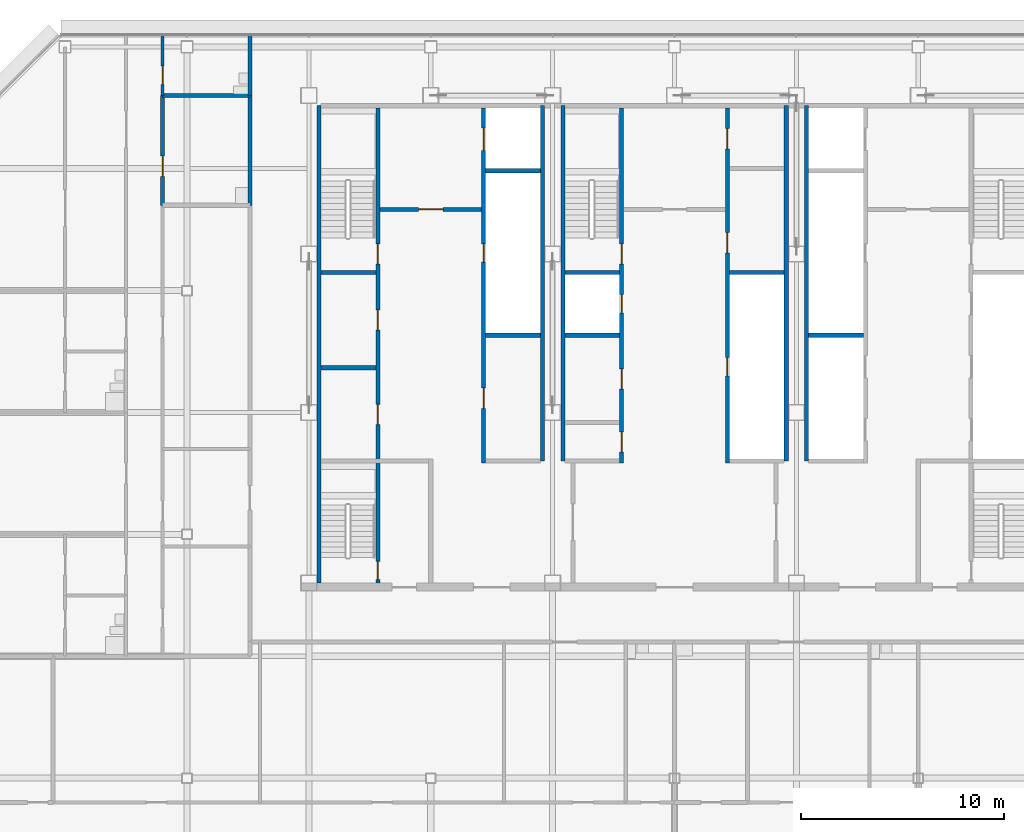
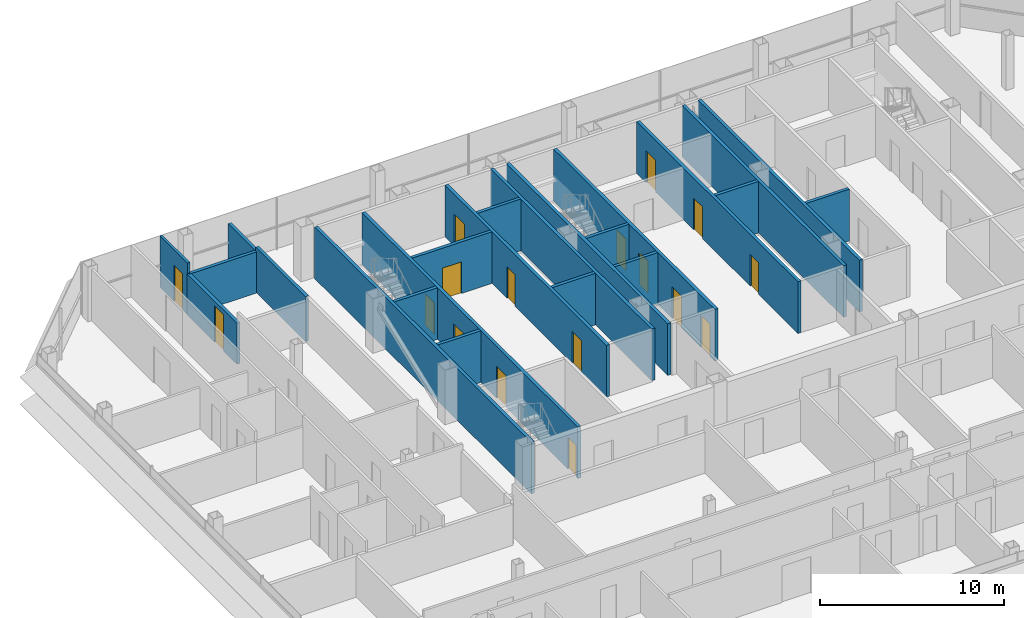
# One storey, part 24 of 28: 23 walls, 17 doors, 17 openings.
"""IFC4 building model written with IfcOpenShell, lengths in metres."""

import ifcopenshell
import ifcopenshell.guid

model = None  # the IFC model being written
_history = None  # IfcOwnerHistory: only IFC2X3 demands one
_inside = {}  # id of a spatial element -> (the spatial element, [elements in it])
_under = {}  # id of a project, library or spatial element -> (it, [spatial elements below it])
_declared = {}  # id of a project -> (the project, [libraries it declares])
_typed = {}  # id of a type object -> (the type object, [elements of that type])
_made_of = {}  # id of a material, layer set ... -> (it, [elements and type objects made of it])


def new_model(schema):
    """Start an empty IFC model of exactly this schema.

    Asked for "IFC4X3", IfcOpenShell would pick the latest addendum, in which some entities
    have other attributes; the version numbers below select the first issue.
    IFC2X3 requires an IfcOwnerHistory on every rooted entity: one is made here for all.
    """
    global model, _history
    if schema == "IFC4X3":
        model = ifcopenshell.file(schema_version=(4, 3, 0, 0))
    else:
        model = ifcopenshell.file(schema=schema)
    _inside.clear()
    _under.clear()
    _declared.clear()
    _typed.clear()
    _made_of.clear()
    _history = None
    if model.schema == "IFC2X3":
        org = make("IfcOrganization", Name="unknown")
        user = make(
            "IfcPersonAndOrganization",
            ThePerson=make("IfcPerson", FamilyName="unknown"),
            TheOrganization=org,
        )
        app = make(
            "IfcApplication",
            ApplicationDeveloper=org,
            Version="unknown",
            ApplicationFullName="unknown",
            ApplicationIdentifier="unknown",
        )
        _history = make(
            "IfcOwnerHistory",
            OwningUser=user,
            OwningApplication=app,
            ChangeAction="ADDED",
            CreationDate=0,
        )
    return model


def make(cls, **values):
    """One entity of the class cls with the attributes given. An attribute that is None is left unset."""
    return model.create_entity(
        cls, **{name: value for name, value in values.items() if value is not None}
    )


def rooted(cls, **values):
    """An entity with a GlobalId (a new one), such as an element, a storey or a relation."""
    return make(cls, GlobalId=ifcopenshell.guid.new(), OwnerHistory=_history, **values)


def si_unit(unit_type, name, prefix=None):
    """IfcSIUnit, for example si_unit("LENGTHUNIT", "METRE", prefix="MILLI")."""
    return make("IfcSIUnit", UnitType=unit_type, Prefix=prefix, Name=name)


def assignment(units):
    """IfcUnitAssignment: the units of a project."""
    return None if units is None else make("IfcUnitAssignment", Units=units)


def point(xyz):
    """IfcCartesianPoint."""
    return None if xyz is None else make("IfcCartesianPoint", Coordinates=xyz)


def direction(xyz):
    """IfcDirection."""
    return None if xyz is None else make("IfcDirection", DirectionRatios=xyz)


def frame(location, z_axis=None, x_axis=None):
    """IfcAxis2Placement3D, a coordinate frame: its origin and axes. An axis left out is left unset."""
    return make(
        "IfcAxis2Placement3D",
        Location=point(location),
        Axis=direction(z_axis),
        RefDirection=direction(x_axis),
    )


def frame_2d(location, x_axis=None):
    """IfcAxis2Placement2D, a coordinate frame in the plane: its origin and x axis."""
    return make(
        "IfcAxis2Placement2D", Location=point(location), RefDirection=direction(x_axis)
    )


def origin():
    """The frame at (0, 0, 0) with its axes left unset."""
    return frame((0.0, 0.0, 0.0))


def place(relative_to, where):
    """IfcLocalPlacement: puts the frame where relative to a parent placement (None: the world)."""
    return make(
        "IfcLocalPlacement", PlacementRelTo=relative_to, RelativePlacement=where
    )


def context(
    kind, dimensions, precision=None, world=None, true_north=None, identifier=None
):
    """IfcGeometricRepresentationContext, for example the 3D "Model" context."""
    return make(
        "IfcGeometricRepresentationContext",
        ContextIdentifier=identifier,
        ContextType=kind,
        CoordinateSpaceDimension=dimensions,
        Precision=precision,
        WorldCoordinateSystem=world,
        TrueNorth=true_north,
    )


def subcontext(parent, identifier, kind, view, scale=None):
    """IfcGeometricRepresentationSubContext, for example "Body" below "Model"."""
    return make(
        "IfcGeometricRepresentationSubContext",
        ContextIdentifier=identifier,
        ContextType=kind,
        ParentContext=parent,
        TargetScale=scale,
        TargetView=view,
    )


def project(units=None, contexts=None):
    """IfcProject with its units and contexts."""
    return rooted(
        "IfcProject",
        Name="project",
        RepresentationContexts=contexts,
        UnitsInContext=assignment(units),
    )


def spatial(cls, under=None, at=None, **own):
    """A site, building, storey or space (cls), placed at a placement, below another one or the project."""
    s = rooted(cls, ObjectPlacement=at, **own)
    if under is not None:
        _under.setdefault(under.id(), (under, []))[1].append(s)
    return s


def profile(cls, at=None, kind="AREA", **sizes):
    """A parametric profile (cls). Its sizes go by their IFC names, for example OverallWidth=200.0."""
    return make(cls, ProfileType=kind, Position=at, **sizes)


def rectangle(**sizes):
    """IfcRectangleProfileDef."""
    return profile("IfcRectangleProfileDef", **sizes)


def extrude(swept, where, along, depth):
    """IfcExtrudedAreaSolid: the profile swept, set in the frame where, extruded along a direction by depth."""
    return make(
        "IfcExtrudedAreaSolid",
        SweptArea=swept,
        Position=where,
        ExtrudedDirection=direction(along),
        Depth=depth,
    )


def shape(context_of_items, identifier, shape_type, items):
    """IfcShapeRepresentation: the items that make up one representation, for example the "Body"."""
    return make(
        "IfcShapeRepresentation",
        ContextOfItems=context_of_items,
        RepresentationIdentifier=identifier,
        RepresentationType=shape_type,
        Items=items,
    )


def material(Name=None, Category=None):
    """IfcMaterial."""
    return make("IfcMaterial", Name=Name, Category=Category)


def layer(
    of_material, thickness, ventilated=None, Name=None, Category=None, Priority=None
):
    """IfcMaterialLayer: one layer of a wall or slab, of a material (None: an air gap)."""
    return make(
        "IfcMaterialLayer",
        Material=of_material,
        LayerThickness=thickness,
        IsVentilated=ventilated,
        Name=Name,
        Category=Category,
        Priority=Priority,
    )


def layer_set(layers, Name=None):
    """IfcMaterialLayerSet."""
    return make("IfcMaterialLayerSet", MaterialLayers=layers, LayerSetName=Name)


def made_of(thing, what):
    """Note that an element or type object is made of a material, layer set ...; save() writes the relation."""
    if what is not None:
        _made_of.setdefault(what.id(), (what, []))[1].append(thing)
    return thing


def type_object(cls, material=None, **own):
    """A type object (cls), such as IfcWallType, which elements share."""
    return made_of(rooted(cls, **own), material)


def element(
    cls,
    number,
    at=None,
    inside=None,
    cuts=None,
    type_object=None,
    material=None,
    context=None,
    identifier="Body",
    shape_type=None,
    held_by="IfcProductDefinitionShape",
    body=None,
    shapes=None,
    **own,
):
    """One element of the class cls, such as IfcWall. Its Tag is "e" and its number.

    at: its placement. inside: the storey or other place that contains it. cuts: it is an
    opening in that element (IfcRelVoidsElement). A single representation is given by context,
    identifier, shape_type and body (its items); several are given by shapes. held_by: the class
    of the entity that holds the representations. save() writes the other relations.
    """
    e = rooted(cls, Tag="e%d" % number, ObjectPlacement=at, **own)
    if body is not None:
        shapes = [shape(context, identifier, shape_type, body)]
    if shapes is not None:
        e.Representation = make(held_by, Representations=shapes)
    if inside is not None:
        _inside.setdefault(inside.id(), (inside, []))[1].append(e)
    if cuts is not None:
        rooted(
            "IfcRelVoidsElement", RelatingBuildingElement=cuts, RelatedOpeningElement=e
        )
    if type_object is not None:
        _typed.setdefault(type_object.id(), (type_object, []))[1].append(e)
    return made_of(e, material)


def fill(opening, filler):
    """IfcRelFillsElement: the door or window that sits in an opening."""
    return rooted(
        "IfcRelFillsElement",
        RelatingOpeningElement=opening,
        RelatedBuildingElement=filler,
    )


def aggregate(whole, parts):
    """IfcRelAggregates: a whole, such as a stair, and the parts it consists of."""
    return rooted("IfcRelAggregates", RelatingObject=whole, RelatedObjects=parts)


def save(model, path):
    """Write the relations noted so far, then the file.

    IfcRelAggregates (storeys below a building ...), IfcRelContainedInSpatialStructure (elements
    in a storey), IfcRelDefinesByType, IfcRelAssociatesMaterial and IfcRelDeclares: one each for
    every whole, place, type object, material and project.
    """
    for whole, parts in _under.values():
        aggregate(whole, parts)
    for where, things in _inside.values():
        rooted(
            "IfcRelContainedInSpatialStructure",
            RelatedElements=things,
            RelatingStructure=where,
        )
    for kind, things in _typed.values():
        rooted("IfcRelDefinesByType", RelatedObjects=things, RelatingType=kind)
    for what, things in _made_of.values():
        rooted("IfcRelAssociatesMaterial", RelatedObjects=things, RelatingMaterial=what)
    for by, libraries in _declared.values():
        rooted("IfcRelDeclares", RelatingContext=by, RelatedDefinitions=libraries)
    model.write(path)


model = new_model("IFC4")

# Units and contexts
model_context = context("Model", 3, precision=1e-05, world=origin(), true_north=direction((0.0, 1.0)))
body_context = subcontext(model_context, "Body", "Model", "MODEL_VIEW")
ifc_project = project(units=[si_unit("LENGTHUNIT", "METRE"), si_unit("AREAUNIT", "SQUARE_METRE"), si_unit("VOLUMEUNIT", "CUBIC_METRE"), si_unit("PLANEANGLEUNIT", "RADIAN"), si_unit("MASSUNIT", "GRAM", prefix="KILO")], contexts=[model_context])

# Site, building, storey
site_placement = place(None, origin())
site = spatial("IfcSite", under=ifc_project, at=site_placement, CompositionType="ELEMENT")
building_placement = place(site_placement, origin())
building = spatial("IfcBuilding", under=site, at=building_placement, Name="Sorahane Residences", CompositionType="ELEMENT")
storey_placement = place(building_placement, frame((0.0, 0.0, 270.199951171875)))
storey = spatial("IfcBuildingStorey", under=building, at=storey_placement, Name="L64", CompositionType="ELEMENT", Elevation=270.199951171875)

# Walls
ifc_material_1 = material(Name="Concrete C30", Category="concrete")
ifc_layer_1 = layer(ifc_material_1, 0.199951171875)
ifc_layer_set_1 = layer_set([ifc_layer_1], Name="Core face wall 200 EI 180")
wall_type_1 = type_object("IfcWallType", Name="Core face wall 200 EI 180", PredefinedType="SOLIDWALL", material=ifc_layer_set_1)
wall_1_placement = place(storey_placement, frame((6.5, 21.60009765625, 0.0), z_axis=(0.0, 0.0, 1.0), x_axis=(0.0, 1.0, 0.0)))
element("IfcWall", 1, at=wall_1_placement, inside=storey, type_object=wall_type_1, Name="L64 core face wall", PredefinedType="SOLIDWALL", context=body_context, shape_type="SweptSolid", body=[
    extrude(rectangle(XDim=23.5, YDim=0.199951171875, at=frame_2d((11.75, 0.0))), origin(), (0.0, 0.0, 1.0), 3.420166015625),
])
for number, where, z_axis, x_axis, name in (
    (2, (17.5, 27.60009765625, 0.0), (0.0, 0.0, 1.0), (0.0, 1.0, 0.0), "L64 core face wall"),
    (3, (18.5, 27.60009765625, 0.0), (0.0, 0.0, 1.0), (0.0, 1.0, 0.0), "L64 core face wall"),
    (4, (29.5, 27.60009765625, 0.0), (0.0, 0.0, 1.0), (0.0, 1.0, 0.0), "L64 core face wall"),
    (5, (30.5, 27.60009765625, 0.0), (0.0, 0.0, 1.0), (0.0, 1.0, 0.0), "L64 core face wall"),
):
    element("IfcWall", number, at=place(storey_placement, frame(where, z_axis=z_axis, x_axis=x_axis)), inside=storey, type_object=wall_type_1, Name=name, PredefinedType="SOLIDWALL", context=body_context, shape_type="SweptSolid", body=[
        extrude(rectangle(XDim=17.5, YDim=0.199951171875, at=frame_2d((8.75, 0.0))), origin(), (0.0, 0.0, 1.0), 3.420166015625),
    ])
ifc_material_2 = material(Name="Concrete blockwork C20 wall", Category="masonry")
ifc_layer_2 = layer(ifc_material_2, 0.199951171875)
ifc_layer_set_2 = layer_set([ifc_layer_2], Name="Corridor wall 200 EI 120")
wall_type_2 = type_object("IfcWallType", Name="Corridor wall 200 EI 120", PredefinedType="SOLIDWALL", material=ifc_layer_set_2)
wall_2_placement = place(storey_placement, frame((3.10009765625, 45.60009765625, 0.0), z_axis=(0.0, 0.0, 1.0), x_axis=(0.0, 1.0, 0.0)))
element("IfcWall", 6, at=wall_2_placement, inside=storey, type_object=wall_type_2, Name="L64 corridor wall", PredefinedType="SOLIDWALL", context=body_context, shape_type="SweptSolid", body=[
    extrude(rectangle(XDim=3.0, YDim=0.199951171875, at=frame_2d((1.5, 0.0))), origin(), (0.0, 0.0, 1.0), 2.719970703125),
])

# Wall, opening, door
ifc_material_3 = material(Name="Concrete C30", Category="concrete")
ifc_layer_3 = layer(ifc_material_3, 0.199951171875)
ifc_layer_set_3 = layer_set([ifc_layer_3], Name="Front room wall 200 EI 120")
wall_type_3 = type_object("IfcWallType", Name="Front room wall 200 EI 120", PredefinedType="PARTITIONING", material=ifc_layer_set_3)
wall_3_placement = place(storey_placement, frame((9.5, 40.0, 0.0), z_axis=(0.0, 0.0, 1.0), x_axis=(1.0, 0.0, 0.0)))
wall_3 = element("IfcWall", 7, at=wall_3_placement, inside=storey, type_object=wall_type_3, Name="L64 front room wall", PredefinedType="PARTITIONING", context=body_context, shape_type="SweptSolid", body=[
    extrude(rectangle(XDim=5.0, YDim=0.199951171875, at=frame_2d((2.5, 0.0))), origin(), (0.0, 0.0, 1.0), 3.420166015625),
])
opening_1_placement = place(wall_3_placement, frame((1.89990234375, 0.0, 0.0)))
opening_1 = element("IfcOpeningElement", 8, at=opening_1_placement, cuts=wall_3, Name="Opening L64-C08", PredefinedType="OPENING", context=body_context, shape_type="SweptSolid", body=[
    extrude(rectangle(XDim=1.199951171875, YDim=2.10009765625, at=frame_2d((0.60009765625, 1.050048828125))), frame((0.0, 0.10986328125, 0.0), z_axis=(0.0, -1.0, 0.0), x_axis=(1.0, 0.0, 0.0)), (0.0, 0.0, 1.0), 0.219970703125),
])
ifc_material_4 = material(Name="Steel", Category="steel")
door_type_1 = type_object("IfcDoorType", Name="Front room door 1200x2100 FD120", OperationType="NOTDEFINED", PredefinedType="DOOR", material=ifc_material_4)
door_1_placement = place(opening_1_placement, frame((1.199951171875, 0.0, 0.0), z_axis=(0.0, 0.0, 1.0), x_axis=(-1.0, 0.0, 0.0)))
door_1 = element("IfcDoor", 9, at=door_1_placement, inside=storey, type_object=door_type_1, Name="Front room door Firefighting lobby FF1 front room L64", OperationType="DOUBLE_DOOR_SINGLE_SWING", OverallHeight=2.10009765625, OverallWidth=1.199951171875, PredefinedType="DOOR", context=body_context, shape_type="SweptSolid", body=[
    extrude(rectangle(XDim=1.199951171875, YDim=2.10009765625, at=frame_2d((0.60009765625, 1.050048828125))), frame((0.0, 0.02490234375, 0.0), z_axis=(0.0, -1.0, 0.0), x_axis=(1.0, 0.0, 0.0)), (0.0, 0.0, 1.0), 0.050048828125),
])
fill(opening_1, door_1)

ifc_material_5 = material(Name="Concrete blockwork C20 wall", Category="masonry")
ifc_layer_4 = layer(ifc_material_5, 0.199951171875)
ifc_layer_set_4 = layer_set([ifc_layer_4], Name="Kitchen wall 200 EI 180")
wall_type_4 = type_object("IfcWallType", Name="Kitchen wall 200 EI 180", PredefinedType="SOLIDWALL", material=ifc_layer_set_4)
wall_4_placement = place(storey_placement, frame((-1.199951171875, 40.199951171875, 0.0), z_axis=(0.0, 0.0, 1.0), x_axis=(0.0, 1.0, 0.0)))
wall_4 = element("IfcWall", 10, at=wall_4_placement, inside=storey, type_object=wall_type_4, Name="L64 kitchen wall", PredefinedType="SOLIDWALL", context=body_context, shape_type="SweptSolid", body=[
    extrude(rectangle(XDim=5.400146484375, YDim=0.199951171875, at=frame_2d((2.7001953125, 0.0))), origin(), (0.0, 0.0, 1.0), 2.719970703125),
])
opening_2_placement = place(wall_4_placement, frame((1.419921875, 0.0, 0.0)))
opening_2 = element("IfcOpeningElement", 11, at=opening_2_placement, cuts=wall_4, Name="Opening L64-33", PredefinedType="OPENING", context=body_context, shape_type="SweptSolid", body=[
    extrude(rectangle(XDim=1.0, YDim=2.39990234375, at=frame_2d((0.5, 1.199951171875))), frame((0.0, 0.10986328125, 0.0), z_axis=(0.0, -1.0, 0.0), x_axis=(1.0, 0.0, 0.0)), (0.0, 0.0, 1.0), 0.219970703125),
])
ifc_material_6 = material(Name="Steel", Category="steel")
door_type_2 = type_object("IfcDoorType", Name="Kitchen door 1000x2400 FD120", OperationType="NOTDEFINED", PredefinedType="DOOR", material=ifc_material_6)
door_2_placement = place(opening_2_placement, frame((1.0, 0.0, 0.0), z_axis=(0.0, 0.0, 1.0), x_axis=(-1.0, 0.0, 0.0)))
door_2 = element("IfcDoor", 12, at=door_2_placement, inside=storey, type_object=door_type_2, Name="Kitchen door L64-33", OperationType="SINGLE_SWING_LEFT", OverallHeight=2.39990234375, OverallWidth=1.0, PredefinedType="DOOR", context=body_context, shape_type="SweptSolid", body=[
    extrude(rectangle(XDim=1.0, YDim=2.39990234375, at=frame_2d((0.5, 1.199951171875))), frame((0.0, 0.02490234375, 0.0), z_axis=(0.0, -1.0, 0.0), x_axis=(1.0, 0.0, 0.0)), (0.0, 0.0, 1.0), 0.050048828125),
])
fill(opening_2, door_2)

# Walls
wall_5_placement = place(storey_placement, frame((3.10009765625, 40.199951171875, 0.0), z_axis=(0.0, 0.0, 1.0), x_axis=(0.0, 1.0, 0.0)))
element("IfcWall", 13, at=wall_5_placement, inside=storey, type_object=wall_type_4, Name="L64 kitchen wall", PredefinedType="SOLIDWALL", context=body_context, shape_type="SweptSolid", body=[
    extrude(rectangle(XDim=5.400146484375, YDim=0.199951171875, at=frame_2d((2.7001953125, 0.0))), origin(), (0.0, 0.0, 1.0), 2.969970703125),
])
wall_6_placement = place(storey_placement, frame((-1.199951171875, 45.60009765625, 0.0), z_axis=(0.0, 0.0, 1.0), x_axis=(1.0, 0.0, 0.0)))
element("IfcWall", 14, at=wall_6_placement, inside=storey, type_object=wall_type_4, Name="L64 kitchen wall", PredefinedType="SOLIDWALL", context=body_context, shape_type="SweptSolid", body=[
    extrude(rectangle(XDim=4.300048828125, YDim=0.199951171875, at=frame_2d((2.14990234375, 0.0))), origin(), (0.0, 0.0, 1.0), 2.719970703125),
])

# Wall, openings, doors
ifc_material_7 = material(Name="Concrete C30", Category="concrete")
ifc_layer_5 = layer(ifc_material_7, 0.199951171875)
ifc_layer_set_5 = layer_set([ifc_layer_5], Name="Lift shaft wall 200 EI 120")
wall_type_5 = type_object("IfcWallType", Name="Lift shaft wall 200 EI 120", PredefinedType="SOLIDWALL", material=ifc_layer_set_5)
wall_7_placement = place(storey_placement, frame((14.60009765625, 27.5, 0.0), z_axis=(0.0, 0.0, 1.0), x_axis=(0.0, 1.0, 0.0)))
wall_7 = element("IfcWall", 15, at=wall_7_placement, inside=storey, type_object=wall_type_5, Name="L64 lift shaft wall", PredefinedType="SOLIDWALL", context=body_context, shape_type="SweptSolid", body=[
    extrude(rectangle(XDim=17.5, YDim=0.199951171875, at=frame_2d((8.75, 0.0))), origin(), (0.0, 0.0, 1.0), 3.420166015625),
])
opening_3_placement = place(wall_7_placement, frame((15.39990234375, 0.0, 0.0)))
opening_3 = element("IfcOpeningElement", 16, at=opening_3_placement, cuts=wall_7, Name="Opening L64-C17", PredefinedType="OPENING", context=body_context, shape_type="SweptSolid", body=[
    extrude(rectangle(XDim=1.10009765625, YDim=2.10009765625, at=frame_2d((0.550048828125, 1.050048828125))), frame((0.0, 0.10986328125, 0.0), z_axis=(0.0, -1.0, 0.0), x_axis=(1.0, 0.0, 0.0)), (0.0, 0.0, 1.0), 0.219970703125),
])
opening_4_placement = place(wall_7_placement, frame((2.699951171875, 0.0, 0.0)))
opening_4 = element("IfcOpeningElement", 17, at=opening_4_placement, cuts=wall_7, Name="Opening L64-C20", PredefinedType="OPENING", context=body_context, shape_type="SweptSolid", body=[
    extrude(rectangle(XDim=1.0, YDim=2.10009765625, at=frame_2d((0.5, 1.050048828125))), frame((0.0, 0.10986328125, 0.0), z_axis=(0.0, -1.0, 0.0), x_axis=(1.0, 0.0, 0.0)), (0.0, 0.0, 1.0), 0.219970703125),
])
opening_5_placement = place(wall_7_placement, frame((9.89990234375, 0.0, 0.0)))
opening_5 = element("IfcOpeningElement", 18, at=opening_5_placement, cuts=wall_7, Name="Opening L64-C28", PredefinedType="OPENING", context=body_context, shape_type="SweptSolid", body=[
    extrude(rectangle(XDim=0.89990234375, YDim=2.10009765625, at=frame_2d((0.449951171875, 1.050048828125))), frame((0.0, 0.10986328125, 0.0), z_axis=(0.0, -1.0, 0.0), x_axis=(1.0, 0.0, 0.0)), (0.0, 0.0, 1.0), 0.219970703125),
])
ifc_material_8 = material(Name="Aluminium and stainless steel", Category="steel")
door_type_3 = type_object("IfcDoorType", Name="Lift landing door 1100x2100 E 60", OperationType="NOTDEFINED", PredefinedType="DOOR", material=ifc_material_8)
door_3_placement = place(opening_3_placement, origin())
door_3 = element("IfcDoor", 19, at=door_3_placement, inside=storey, type_object=door_type_3, Name="Lift landing door FF1 L64", OperationType="DOUBLE_DOOR_SLIDING", OverallHeight=2.10009765625, OverallWidth=1.10009765625, PredefinedType="DOOR", context=body_context, shape_type="SweptSolid", body=[
    extrude(rectangle(XDim=1.10009765625, YDim=2.10009765625, at=frame_2d((0.550048828125, 1.050048828125))), frame((0.0, 0.02490234375, 0.0), z_axis=(0.0, -1.0, 0.0), x_axis=(1.0, 0.0, 0.0)), (0.0, 0.0, 1.0), 0.050048828125),
])
fill(opening_3, door_3)
ifc_material_9 = material(Name="Steel", Category="steel")
door_type_4 = type_object("IfcDoorType", Name="Riser door 900x2100 FD120", OperationType="NOTDEFINED", PredefinedType="DOOR", material=ifc_material_9)
door_4_placement = place(opening_5_placement, origin())
door_4 = element("IfcDoor", 20, at=door_4_placement, inside=storey, type_object=door_type_4, Name="Riser door R1 L64", OperationType="SINGLE_SWING_LEFT", OverallHeight=2.10009765625, OverallWidth=0.89990234375, PredefinedType="DOOR", context=body_context, shape_type="SweptSolid", body=[
    extrude(rectangle(XDim=0.89990234375, YDim=2.10009765625, at=frame_2d((0.449951171875, 1.050048828125))), frame((0.0, 0.02490234375, 0.0), z_axis=(0.0, -1.0, 0.0), x_axis=(1.0, 0.0, 0.0)), (0.0, 0.0, 1.0), 0.050048828125),
])
fill(opening_5, door_4)
ifc_material_10 = material(Name="Steel", Category="steel")
door_type_5 = type_object("IfcDoorType", Name="Service room door 1000x2100 FD60", OperationType="NOTDEFINED", PredefinedType="DOOR", material=ifc_material_10)
door_5_placement = place(opening_4_placement, frame((1.0, 0.0, 0.0), z_axis=(0.0, 0.0, 1.0), x_axis=(-1.0, 0.0, 0.0)))
door_5 = element("IfcDoor", 21, at=door_5_placement, inside=storey, type_object=door_type_5, Name="Service room door Meeting room L64", OperationType="SINGLE_SWING_RIGHT", OverallHeight=2.10009765625, OverallWidth=1.0, PredefinedType="DOOR", context=body_context, shape_type="SweptSolid", body=[
    extrude(rectangle(XDim=1.0, YDim=2.10009765625, at=frame_2d((0.5, 1.050048828125))), frame((0.0, 0.02490234375, 0.0), z_axis=(0.0, -1.0, 0.0), x_axis=(1.0, 0.0, 0.0)), (0.0, 0.0, 1.0), 0.050048828125),
])
fill(opening_4, door_5)

# Walls
for number, where, z_axis, x_axis, name in (
    (22, (30.60009765625, 33.800048828125, 0.0), (0.0, 0.0, 1.0), (1.0, 0.0, 0.0), "L64 lift shaft wall"),
    (23, (14.699951171875, 41.89990234375, 0.0), (0.0, 0.0, 1.0), (1.0, 0.0, 0.0), "L64 lift shaft wall"),
):
    element("IfcWall", number, at=place(storey_placement, frame(where, z_axis=z_axis, x_axis=x_axis)), inside=storey, type_object=wall_type_5, Name=name, PredefinedType="SOLIDWALL", context=body_context, shape_type="SweptSolid", body=[
        extrude(rectangle(XDim=2.699951171875, YDim=0.199951171875, at=frame_2d((1.35009765625, 0.0))), origin(), (0.0, 0.0, 1.0), 3.420166015625),
    ])

# Wall, openings, doors
ifc_material_11 = material(Name="Concrete C30", Category="concrete")
ifc_layer_6 = layer(ifc_material_11, 0.199951171875)
ifc_layer_set_6 = layer_set([ifc_layer_6], Name="Riser shaft wall 200 EI 120")
wall_type_6 = type_object("IfcWallType", Name="Riser shaft wall 200 EI 120", PredefinedType="SOLIDWALL", material=ifc_layer_set_6)
wall_8_placement = place(storey_placement, frame((26.60009765625, 27.5, 0.0), z_axis=(0.0, 0.0, 1.0), x_axis=(0.0, 1.0, 0.0)))
wall_8 = element("IfcWall", 24, at=wall_8_placement, inside=storey, type_object=wall_type_6, Name="L64 riser wall", PredefinedType="SOLIDWALL", context=body_context, shape_type="SweptSolid", body=[
    extrude(rectangle(XDim=17.5, YDim=0.199951171875, at=frame_2d((8.75, 0.0))), origin(), (0.0, 0.0, 1.0), 3.420166015625),
])
opening_6_placement = place(wall_8_placement, frame((4.300048828125, 0.0, 0.0)))
opening_6 = element("IfcOpeningElement", 25, at=opening_6_placement, cuts=wall_8, Name="Opening L64-C31", PredefinedType="OPENING", context=body_context, shape_type="SweptSolid", body=[
    extrude(rectangle(XDim=0.89990234375, YDim=2.10009765625, at=frame_2d((0.449951171875, 1.050048828125))), frame((0.0, 0.10986328125, 0.0), z_axis=(0.0, -1.0, 0.0), x_axis=(1.0, 0.0, 0.0)), (0.0, 0.0, 1.0), 0.219970703125),
])
opening_7_placement = place(wall_8_placement, frame((10.35009765625, 0.0, 0.0)))
opening_7 = element("IfcOpeningElement", 26, at=opening_7_placement, cuts=wall_8, Name="Opening L64-C32", PredefinedType="OPENING", context=body_context, shape_type="SweptSolid", body=[
    extrude(rectangle(XDim=1.0, YDim=2.10009765625, at=frame_2d((0.5, 1.050048828125))), frame((0.0, 0.10986328125, 0.0), z_axis=(0.0, -1.0, 0.0), x_axis=(1.0, 0.0, 0.0)), (0.0, 0.0, 1.0), 0.219970703125),
])
opening_8_placement = place(wall_8_placement, frame((15.47509765625, 0.0, 0.0)))
opening_8 = element("IfcOpeningElement", 27, at=opening_8_placement, cuts=wall_8, Name="Opening L64-C33", PredefinedType="OPENING", context=body_context, shape_type="SweptSolid", body=[
    extrude(rectangle(XDim=1.0, YDim=2.10009765625, at=frame_2d((0.5, 1.050048828125))), frame((0.0, 0.10986328125, 0.0), z_axis=(0.0, -1.0, 0.0), x_axis=(1.0, 0.0, 0.0)), (0.0, 0.0, 1.0), 0.219970703125),
])
door_6_placement = place(opening_6_placement, origin())
door_6 = element("IfcDoor", 28, at=door_6_placement, inside=storey, type_object=door_type_4, Name="Riser door R4 L64", OperationType="SINGLE_SWING_LEFT", OverallHeight=2.10009765625, OverallWidth=0.89990234375, PredefinedType="DOOR", context=body_context, shape_type="SweptSolid", body=[
    extrude(rectangle(XDim=0.89990234375, YDim=2.10009765625, at=frame_2d((0.449951171875, 1.050048828125))), frame((0.0, 0.02490234375, 0.0), z_axis=(0.0, -1.0, 0.0), x_axis=(1.0, 0.0, 0.0)), (0.0, 0.0, 1.0), 0.050048828125),
])
fill(opening_6, door_6)
door_7_placement = place(opening_7_placement, frame((1.0, 0.0, 0.0), z_axis=(0.0, 0.0, 1.0), x_axis=(-1.0, 0.0, 0.0)))
door_7 = element("IfcDoor", 29, at=door_7_placement, inside=storey, type_object=door_type_5, Name="Service room door Parcel room L64", OperationType="SINGLE_SWING_LEFT", OverallHeight=2.10009765625, OverallWidth=1.0, PredefinedType="DOOR", context=body_context, shape_type="SweptSolid", body=[
    extrude(rectangle(XDim=1.0, YDim=2.10009765625, at=frame_2d((0.5, 1.050048828125))), frame((0.0, 0.02490234375, 0.0), z_axis=(0.0, -1.0, 0.0), x_axis=(1.0, 0.0, 0.0)), (0.0, 0.0, 1.0), 0.050048828125),
])
fill(opening_7, door_7)
door_8_placement = place(opening_8_placement, frame((1.0, 0.0, 0.0), z_axis=(0.0, 0.0, 1.0), x_axis=(-1.0, 0.0, 0.0)))
door_8 = element("IfcDoor", 30, at=door_8_placement, inside=storey, type_object=door_type_5, Name="Service room door Refuse room L64", OperationType="SINGLE_SWING_RIGHT", OverallHeight=2.10009765625, OverallWidth=1.0, PredefinedType="DOOR", context=body_context, shape_type="SweptSolid", body=[
    extrude(rectangle(XDim=1.0, YDim=2.10009765625, at=frame_2d((0.5, 1.050048828125))), frame((0.0, 0.02490234375, 0.0), z_axis=(0.0, -1.0, 0.0), x_axis=(1.0, 0.0, 0.0)), (0.0, 0.0, 1.0), 0.050048828125),
])
fill(opening_8, door_8)

# Walls
for number, where, z_axis, x_axis, name in (
    (31, (14.699951171875, 33.800048828125, 0.0), (0.0, 0.0, 1.0), (1.0, 0.0, 0.0), "L64 riser wall"),
    (32, (18.60009765625, 33.800048828125, 0.0), (0.0, 0.0, 1.0), (1.0, 0.0, 0.0), "L64 riser wall"),
    (33, (26.699951171875, 36.89990234375, 0.0), (0.0, 0.0, 1.0), (1.0, 0.0, 0.0), "L64 riser wall"),
):
    element("IfcWall", number, at=place(storey_placement, frame(where, z_axis=z_axis, x_axis=x_axis)), inside=storey, type_object=wall_type_6, Name=name, PredefinedType="SOLIDWALL", context=body_context, shape_type="SweptSolid", body=[
        extrude(rectangle(XDim=2.699951171875, YDim=0.199951171875, at=frame_2d((1.35009765625, 0.0))), origin(), (0.0, 0.0, 1.0), 3.420166015625),
    ])
ifc_material_12 = material(Name="Concrete C30", Category="concrete")
ifc_layer_7 = layer(ifc_material_12, 0.199951171875)
ifc_layer_set_7 = layer_set([ifc_layer_7], Name="Service room partition 200 EI 60")
wall_type_7 = type_object("IfcWallType", Name="Service room partition 200 EI 60", PredefinedType="PARTITIONING", material=ifc_layer_set_7)
wall_9_placement = place(storey_placement, frame((6.60009765625, 32.199951171875, 0.0), z_axis=(0.0, 0.0, 1.0), x_axis=(1.0, 0.0, 0.0)))
element("IfcWall", 34, at=wall_9_placement, inside=storey, type_object=wall_type_7, Name="L64 service room wall", PredefinedType="PARTITIONING", context=body_context, shape_type="SweptSolid", body=[
    extrude(rectangle(XDim=2.699951171875, YDim=0.199951171875, at=frame_2d((1.35009765625, 0.0))), origin(), (0.0, 0.0, 1.0), 3.420166015625),
])

# Wall, openings, doors
ifc_material_13 = material(Name="Concrete C30", Category="concrete")
ifc_layer_8 = layer(ifc_material_13, 0.199951171875)
ifc_layer_set_8 = layer_set([ifc_layer_8], Name="Stair enclosure wall 200 EI 120")
wall_type_8 = type_object("IfcWallType", Name="Stair enclosure wall 200 EI 120", PredefinedType="SOLIDWALL", material=ifc_layer_set_8)
wall_10_placement = place(storey_placement, frame((21.39990234375, 27.5, 0.0), z_axis=(0.0, 0.0, 1.0), x_axis=(0.0, 1.0, 0.0)))
wall_10 = element("IfcWall", 35, at=wall_10_placement, inside=storey, type_object=wall_type_8, Name="L64 stair enclosure wall", PredefinedType="SOLIDWALL", context=body_context, shape_type="SweptSolid", body=[
    extrude(rectangle(XDim=17.5, YDim=0.199951171875, at=frame_2d((8.75, 0.0))), origin(), (0.0, 0.0, 1.0), 3.420166015625),
])
opening_9_placement = place(wall_10_placement, frame((0.550048828125, 0.0, 0.0)))
opening_9 = element("IfcOpeningElement", 36, at=opening_9_placement, cuts=wall_10, Name="Opening L64-C18", PredefinedType="OPENING", context=body_context, shape_type="SweptSolid", body=[
    extrude(rectangle(XDim=1.0, YDim=2.10009765625, at=frame_2d((0.5, 1.050048828125))), frame((0.0, 0.10986328125, 0.0), z_axis=(0.0, -1.0, 0.0), x_axis=(1.0, 0.0, 0.0)), (0.0, 0.0, 1.0), 0.219970703125),
])
opening_10_placement = place(wall_10_placement, frame((3.64990234375, 0.0, 0.0)))
opening_10 = element("IfcOpeningElement", 37, at=opening_10_placement, cuts=wall_10, Name="Opening L64-C19", PredefinedType="OPENING", context=body_context, shape_type="SweptSolid", body=[
    extrude(rectangle(XDim=1.0, YDim=2.10009765625, at=frame_2d((0.5, 1.050048828125))), frame((0.0, 0.10986328125, 0.0), z_axis=(0.0, -1.0, 0.0), x_axis=(1.0, 0.0, 0.0)), (0.0, 0.0, 1.0), 0.219970703125),
])
opening_11_placement = place(wall_10_placement, frame((9.800048828125, 0.0, 0.0)))
opening_11 = element("IfcOpeningElement", 38, at=opening_11_placement, cuts=wall_10, Name="Opening L64-C25", PredefinedType="OPENING", context=body_context, shape_type="SweptSolid", body=[
    extrude(rectangle(XDim=1.0, YDim=2.10009765625, at=frame_2d((0.5, 1.050048828125))), frame((0.0, 0.10986328125, 0.0), z_axis=(0.0, -1.0, 0.0), x_axis=(1.0, 0.0, 0.0)), (0.0, 0.0, 1.0), 0.219970703125),
])
opening_12_placement = place(wall_10_placement, frame((7.39990234375, 0.0, 0.0)))
opening_12 = element("IfcOpeningElement", 39, at=opening_12_placement, cuts=wall_10, Name="Opening L64-C30", PredefinedType="OPENING", context=body_context, shape_type="SweptSolid", body=[
    extrude(rectangle(XDim=0.89990234375, YDim=2.10009765625, at=frame_2d((0.449951171875, 1.050048828125))), frame((0.0, 0.10986328125, 0.0), z_axis=(0.0, -1.0, 0.0), x_axis=(1.0, 0.0, 0.0)), (0.0, 0.0, 1.0), 0.219970703125),
])
door_9_placement = place(opening_12_placement, frame((0.89990234375, 0.0, 0.0), z_axis=(0.0, 0.0, 1.0), x_axis=(-1.0, 0.0, 0.0)))
door_9 = element("IfcDoor", 40, at=door_9_placement, inside=storey, type_object=door_type_4, Name="Riser door R3 L64", OperationType="SINGLE_SWING_LEFT", OverallHeight=2.10009765625, OverallWidth=0.89990234375, PredefinedType="DOOR", context=body_context, shape_type="SweptSolid", body=[
    extrude(rectangle(XDim=0.89990234375, YDim=2.10009765625, at=frame_2d((0.449951171875, 1.050048828125))), frame((0.0, 0.02490234375, 0.0), z_axis=(0.0, -1.0, 0.0), x_axis=(1.0, 0.0, 0.0)), (0.0, 0.0, 1.0), 0.050048828125),
])
fill(opening_12, door_9)
door_10_placement = place(opening_9_placement, origin())
door_10 = element("IfcDoor", 41, at=door_10_placement, inside=storey, type_object=door_type_5, Name="Service room door Tea store L64", OperationType="SINGLE_SWING_LEFT", OverallHeight=2.10009765625, OverallWidth=1.0, PredefinedType="DOOR", context=body_context, shape_type="SweptSolid", body=[
    extrude(rectangle(XDim=1.0, YDim=2.10009765625, at=frame_2d((0.5, 1.050048828125))), frame((0.0, 0.02490234375, 0.0), z_axis=(0.0, -1.0, 0.0), x_axis=(1.0, 0.0, 0.0)), (0.0, 0.0, 1.0), 0.050048828125),
])
fill(opening_9, door_10)
door_11_placement = place(opening_10_placement, origin())
door_11 = element("IfcDoor", 42, at=door_11_placement, inside=storey, type_object=door_type_5, Name="Service room door Tea room L64", OperationType="SINGLE_SWING_LEFT", OverallHeight=2.10009765625, OverallWidth=1.0, PredefinedType="DOOR", context=body_context, shape_type="SweptSolid", body=[
    extrude(rectangle(XDim=1.0, YDim=2.10009765625, at=frame_2d((0.5, 1.050048828125))), frame((0.0, 0.02490234375, 0.0), z_axis=(0.0, -1.0, 0.0), x_axis=(1.0, 0.0, 0.0)), (0.0, 0.0, 1.0), 0.050048828125),
])
fill(opening_10, door_11)
ifc_material_14 = material(Name="Steel", Category="steel")
door_type_6 = type_object("IfcDoorType", Name="Stair door 1000x2100 FD120", OperationType="NOTDEFINED", PredefinedType="DOOR", material=ifc_material_14)
door_12_placement = place(opening_11_placement, origin())
door_12 = element("IfcDoor", 43, at=door_12_placement, inside=storey, type_object=door_type_6, Name="Stair door S3 L64", OperationType="SINGLE_SWING_LEFT", OverallHeight=2.10009765625, OverallWidth=1.0, PredefinedType="DOOR", context=body_context, shape_type="SweptSolid", body=[
    extrude(rectangle(XDim=1.0, YDim=2.10009765625, at=frame_2d((0.5, 1.050048828125))), frame((0.0, 0.02490234375, 0.0), z_axis=(0.0, -1.0, 0.0), x_axis=(1.0, 0.0, 0.0)), (0.0, 0.0, 1.0), 0.050048828125),
])
fill(opening_11, door_12)

wall_11_placement = place(storey_placement, frame((9.39990234375, 21.60009765625, 0.0), z_axis=(0.0, 0.0, 1.0), x_axis=(0.0, 1.0, 0.0)))
wall_11 = element("IfcWall", 44, at=wall_11_placement, inside=storey, type_object=wall_type_8, Name="L64 stair enclosure wall", PredefinedType="SOLIDWALL", context=body_context, shape_type="SweptSolid", body=[
    extrude(rectangle(XDim=23.39990234375, YDim=0.199951171875, at=frame_2d((11.699951171875, 0.0))), origin(), (0.0, 0.0, 1.0), 3.420166015625),
])
opening_13_placement = place(wall_11_placement, frame((7.800048828125, 0.0, 0.0)))
opening_13 = element("IfcOpeningElement", 45, at=opening_13_placement, cuts=wall_11, Name="Opening L64-C21", PredefinedType="OPENING", context=body_context, shape_type="SweptSolid", body=[
    extrude(rectangle(XDim=1.0, YDim=2.10009765625, at=frame_2d((0.5, 1.050048828125))), frame((0.0, 0.10986328125, 0.0), z_axis=(0.0, -1.0, 0.0), x_axis=(1.0, 0.0, 0.0)), (0.0, 0.0, 1.0), 0.219970703125),
])
opening_14_placement = place(wall_11_placement, frame((12.449951171875, 0.0, 0.0)))
opening_14 = element("IfcOpeningElement", 46, at=opening_14_placement, cuts=wall_11, Name="Opening L64-C22", PredefinedType="OPENING", context=body_context, shape_type="SweptSolid", body=[
    extrude(rectangle(XDim=1.0, YDim=2.10009765625, at=frame_2d((0.5, 1.050048828125))), frame((0.0, 0.10986328125, 0.0), z_axis=(0.0, -1.0, 0.0), x_axis=(1.0, 0.0, 0.0)), (0.0, 0.0, 1.0), 0.219970703125),
])
opening_15_placement = place(wall_11_placement, frame((15.699951171875, 0.0, 0.0)))
opening_15 = element("IfcOpeningElement", 47, at=opening_15_placement, cuts=wall_11, Name="Opening L64-C23", PredefinedType="OPENING", context=body_context, shape_type="SweptSolid", body=[
    extrude(rectangle(XDim=1.0, YDim=2.10009765625, at=frame_2d((0.5, 1.050048828125))), frame((0.0, 0.10986328125, 0.0), z_axis=(0.0, -1.0, 0.0), x_axis=(1.0, 0.0, 0.0)), (0.0, 0.0, 1.0), 0.219970703125),
])
opening_16_placement = place(wall_11_placement, frame((0.175048828125, 0.0, 0.0)))
opening_16 = element("IfcOpeningElement", 48, at=opening_16_placement, cuts=wall_11, Name="Opening L64-C26", PredefinedType="OPENING", context=body_context, shape_type="SweptSolid", body=[
    extrude(rectangle(XDim=0.89990234375, YDim=2.10009765625, at=frame_2d((0.449951171875, 1.050048828125))), frame((0.0, 0.10986328125, 0.0), z_axis=(0.0, -1.0, 0.0), x_axis=(1.0, 0.0, 0.0)), (0.0, 0.0, 1.0), 0.219970703125),
])
door_13_placement = place(opening_13_placement, origin())
door_13 = element("IfcDoor", 49, at=door_13_placement, inside=storey, type_object=door_type_5, Name="Service room door Meeting room L64", OperationType="SINGLE_SWING_RIGHT", OverallHeight=2.10009765625, OverallWidth=1.0, PredefinedType="DOOR", context=body_context, shape_type="SweptSolid", body=[
    extrude(rectangle(XDim=1.0, YDim=2.10009765625, at=frame_2d((0.5, 1.050048828125))), frame((0.0, 0.02490234375, 0.0), z_axis=(0.0, -1.0, 0.0), x_axis=(1.0, 0.0, 0.0)), (0.0, 0.0, 1.0), 0.050048828125),
])
fill(opening_13, door_13)
door_14_placement = place(opening_14_placement, origin())
door_14 = element("IfcDoor", 50, at=door_14_placement, inside=storey, type_object=door_type_5, Name="Service room door Meeting room L64", OperationType="SINGLE_SWING_LEFT", OverallHeight=2.10009765625, OverallWidth=1.0, PredefinedType="DOOR", context=body_context, shape_type="SweptSolid", body=[
    extrude(rectangle(XDim=1.0, YDim=2.10009765625, at=frame_2d((0.5, 1.050048828125))), frame((0.0, 0.02490234375, 0.0), z_axis=(0.0, -1.0, 0.0), x_axis=(1.0, 0.0, 0.0)), (0.0, 0.0, 1.0), 0.050048828125),
])
fill(opening_14, door_14)
door_15_placement = place(opening_15_placement, origin())
door_15 = element("IfcDoor", 51, at=door_15_placement, inside=storey, type_object=door_type_6, Name="Stair door S1 L64", OperationType="SINGLE_SWING_LEFT", OverallHeight=2.10009765625, OverallWidth=1.0, PredefinedType="DOOR", context=body_context, shape_type="SweptSolid", body=[
    extrude(rectangle(XDim=1.0, YDim=2.10009765625, at=frame_2d((0.5, 1.050048828125))), frame((0.0, 0.02490234375, 0.0), z_axis=(0.0, -1.0, 0.0), x_axis=(1.0, 0.0, 0.0)), (0.0, 0.0, 1.0), 0.050048828125),
])
fill(opening_15, door_15)
ifc_material_15 = material(Name="Steel", Category="steel")
door_type_7 = type_object("IfcDoorType", Name="Stair door 900x2100 FD120", OperationType="NOTDEFINED", PredefinedType="DOOR", material=ifc_material_15)
door_16_placement = place(opening_16_placement, origin())
door_16 = element("IfcDoor", 52, at=door_16_placement, inside=storey, type_object=door_type_7, Name="Stair door S4 L64", OperationType="SINGLE_SWING_LEFT", OverallHeight=2.10009765625, OverallWidth=0.89990234375, PredefinedType="DOOR", context=body_context, shape_type="SweptSolid", body=[
    extrude(rectangle(XDim=0.89990234375, YDim=2.10009765625, at=frame_2d((0.449951171875, 1.050048828125))), frame((0.0, 0.02490234375, 0.0), z_axis=(0.0, -1.0, 0.0), x_axis=(1.0, 0.0, 0.0)), (0.0, 0.0, 1.0), 0.050048828125),
])
fill(opening_16, door_16)

# Walls
for number, where, z_axis, x_axis, name in (
    (53, (18.60009765625, 36.89990234375, 0.0), (0.0, 0.0, 1.0), (1.0, 0.0, 0.0), "L64 stair enclosure wall"),
    (54, (6.60009765625, 36.89990234375, 0.0), (0.0, 0.0, 1.0), (1.0, 0.0, 0.0), "L64 stair enclosure wall"),
):
    element("IfcWall", number, at=place(storey_placement, frame(where, z_axis=z_axis, x_axis=x_axis)), inside=storey, type_object=wall_type_8, Name=name, PredefinedType="SOLIDWALL", context=body_context, shape_type="SweptSolid", body=[
        extrude(rectangle(XDim=2.699951171875, YDim=0.199951171875, at=frame_2d((1.35009765625, 0.0))), origin(), (0.0, 0.0, 1.0), 3.420166015625),
    ])

# Wall, opening, door
ifc_material_16 = material(Name="Gypsum board partition on steel studs", Category="steel")
ifc_layer_9 = layer(ifc_material_16, 0.14990234375)
ifc_layer_set_9 = layer_set([ifc_layer_9], Name="Wet wall 150 EI 90")
wall_type_9 = type_object("IfcWallType", Name="Wet wall 150 EI 90", PredefinedType="PARTITIONING", material=ifc_layer_set_9)
wall_12_placement = place(storey_placement, frame((-1.199951171875, 45.60009765625, 0.0), z_axis=(0.0, 0.0, 1.0), x_axis=(0.0, 1.0, 0.0)))
wall_12 = element("IfcWall", 55, at=wall_12_placement, inside=storey, type_object=wall_type_9, Name="L64 wet wall", PredefinedType="PARTITIONING", context=body_context, shape_type="SweptSolid", body=[
    extrude(rectangle(XDim=3.0, YDim=0.14990234375, at=frame_2d((1.5, 0.0))), origin(), (0.0, 0.0, 1.0), 3.420166015625),
])
opening_17_placement = place(wall_12_placement, frame((0.550048828125, 0.0, 0.0)))
opening_17 = element("IfcOpeningElement", 56, at=opening_17_placement, cuts=wall_12, Name="Opening L64-34", PredefinedType="OPENING", context=body_context, shape_type="SweptSolid", body=[
    extrude(rectangle(XDim=0.89990234375, YDim=2.39990234375, at=frame_2d((0.449951171875, 1.199951171875))), frame((0.0, 0.0849609375, 0.0), z_axis=(0.0, -1.0, 0.0), x_axis=(1.0, 0.0, 0.0)), (0.0, 0.0, 1.0), 0.169921875),
])
ifc_material_17 = material(Name="Timber veneered fire door", Category="wood")
door_type_8 = type_object("IfcDoorType", Name="Bathroom door 900x2400 FD30", OperationType="NOTDEFINED", PredefinedType="DOOR", material=ifc_material_17)
door_17_placement = place(opening_17_placement, origin())
door_17 = element("IfcDoor", 57, at=door_17_placement, inside=storey, type_object=door_type_8, Name="Bathroom door L64-34", OperationType="SINGLE_SWING_LEFT", OverallHeight=2.39990234375, OverallWidth=0.89990234375, PredefinedType="DOOR", context=body_context, shape_type="SweptSolid", body=[
    extrude(rectangle(XDim=0.89990234375, YDim=2.39990234375, at=frame_2d((0.449951171875, 1.199951171875))), frame((0.0, 0.02490234375, 0.0), z_axis=(0.0, -1.0, 0.0), x_axis=(1.0, 0.0, 0.0)), (0.0, 0.0, 1.0), 0.050048828125),
])
fill(opening_17, door_17)

save(model, "model.ifc")
